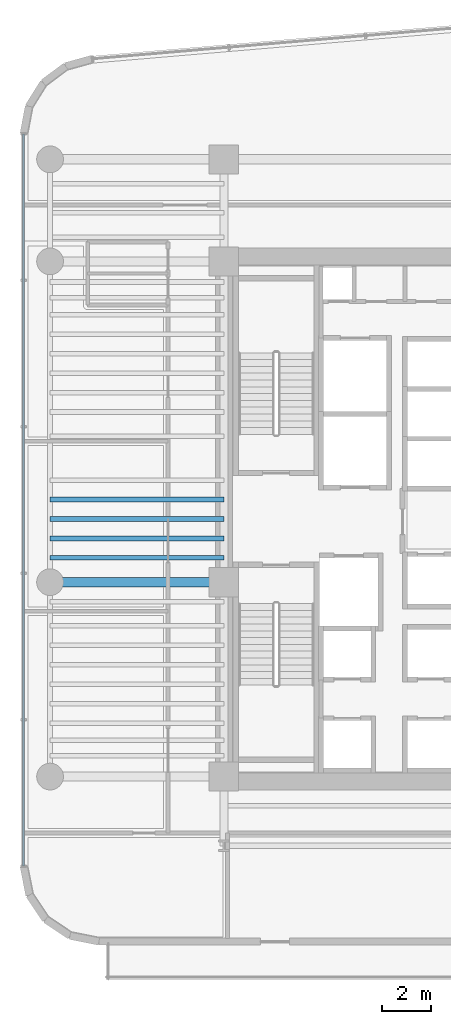
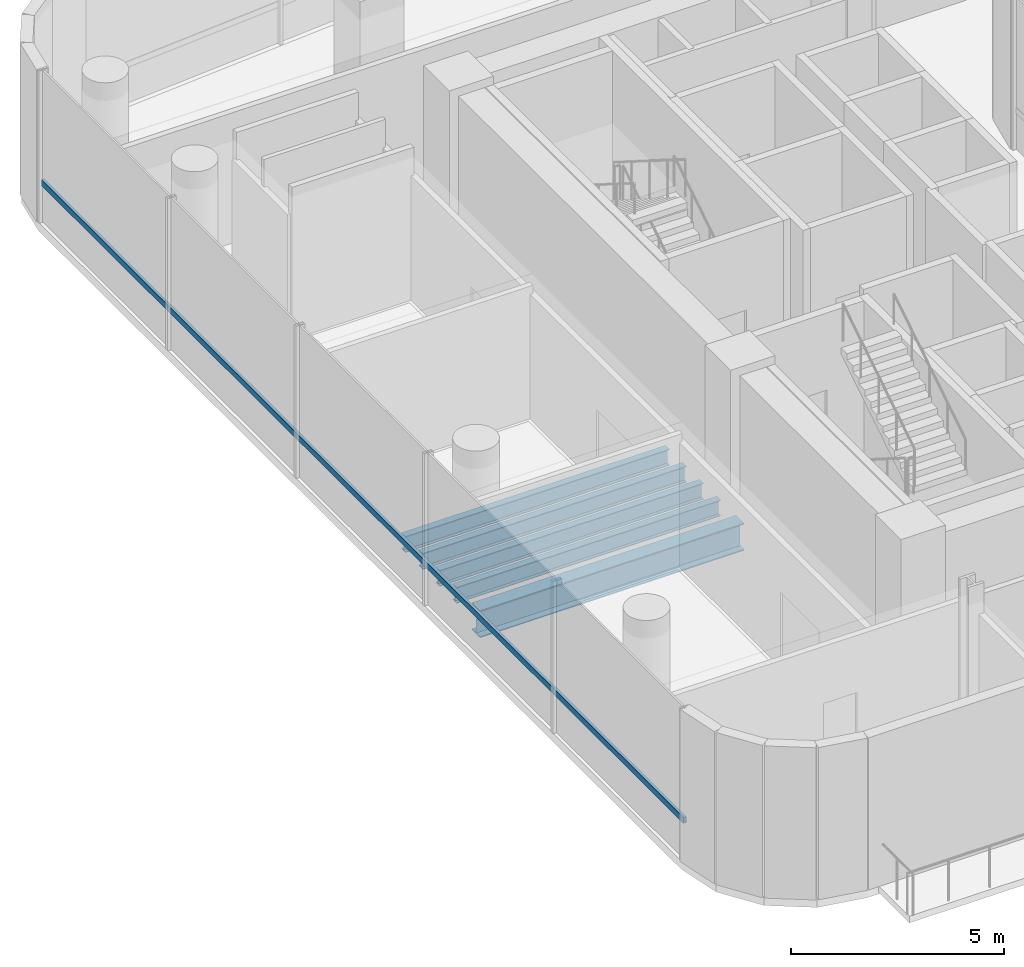
# One storey, part 7 of 32: 5 beams, 1 member, 1 element without a shape of its own.
"""IFC4 building model written with IfcOpenShell, lengths in metres."""

from ifc_helpers import new_model, si_unit, direction, frame, origin, origin_2d, place, context, subcontext, project, spatial, hollow_rectangle, i_section, extrude, source, transform, mapped, material, material_profile, profile_set, type_object, element, aggregate, save


model = new_model("IFC4")

# Units and contexts
model_context = context("Model", 3, precision=1e-05, world=origin(), true_north=direction((0.0, 1.0)))
body_context = subcontext(model_context, "Body", "Model", "MODEL_VIEW")
ifc_project = project(units=[si_unit("LENGTHUNIT", "METRE"), si_unit("AREAUNIT", "SQUARE_METRE"), si_unit("VOLUMEUNIT", "CUBIC_METRE"), si_unit("PLANEANGLEUNIT", "RADIAN"), si_unit("MASSUNIT", "GRAM", prefix="KILO")], contexts=[model_context])

# Site, building, storey
site_placement = place(None, origin())
site = spatial("IfcSite", under=ifc_project, at=site_placement, CompositionType="ELEMENT")
building_placement = place(site_placement, origin())
building = spatial("IfcBuilding", under=site, at=building_placement, Name="Valdorenza Pilgrim Sanctuary Tower", CompositionType="ELEMENT")
storey_placement = place(building_placement, frame((0.0, 0.0, 101.10009765625)))
storey = spatial("IfcBuildingStorey", under=building, at=storey_placement, Name="L25", CompositionType="ELEMENT", Elevation=101.10009765625)

# Beams
ifc_material_1 = material(Name="Steel ASTM A992 Grade 50", Category="steel")
ifc_material_profile_1 = material_profile(ifc_material_1, i_section(OverallWidth=0.382080078125, OverallDepth=0.779052734375, WebThickness=0.01806640625, FlangeThickness=0.030029296875, at=origin_2d()), Name="W30X191")
ifc_profile_set_1 = profile_set([ifc_material_profile_1], Name="Steel ASTM A992 Grade 50")
beam_type_1 = type_object("IfcBeamType", Name="STR-BM-GRD-W30", PredefinedType="BEAM", material=ifc_profile_set_1)
shared_shape_1 = source(origin(), body_context, "Body", "SweptSolid", [
    extrude(i_section(OverallWidth=0.382080078125, OverallDepth=0.779052734375, WebThickness=0.01806640625, FlangeThickness=0.030029296875, at=origin_2d()), origin(), (0.0, 0.0, 1.0), 7.150146484375),
])
beam_placement = place(storey_placement, frame((-29.800048828125, -2.60009765625, -0.629638671875), z_axis=(1.0, 0.0, 0.0), x_axis=(0.0, 1.0, 0.0)))
element("IfcBeam", 1, at=beam_placement, inside=storey, type_object=beam_type_1, Name="L25 Floor Girder WA-XW-M0", PredefinedType="BEAM", context=body_context, shape_type="MappedRepresentation", body=[
    mapped(shared_shape_1, transform((0.0, 0.0, 0.0), x_axis=(1.0, 0.0, 0.0), y_axis=(0.0, 1.0, 0.0), z_axis=(0.0, 0.0, 1.0), scale=1.0)),
])
ifc_material_profile_2 = material_profile(ifc_material_1, i_section(OverallWidth=0.19091796875, OverallDepth=0.45703125, WebThickness=0.009033203125, FlangeThickness=0.014404296875, at=origin_2d()), Name="W18X50")
ifc_profile_set_2 = profile_set([ifc_material_profile_2], Name="Steel ASTM A992 Grade 50")
beam_type_2 = type_object("IfcBeamType", Name="STR-BM-JST-W18B", PredefinedType="JOIST", material=ifc_profile_set_2)
shared_shape_2 = source(origin(), body_context, "Body", "SweptSolid", [
    extrude(i_section(OverallWidth=0.19091796875, OverallDepth=0.45703125, WebThickness=0.009033203125, FlangeThickness=0.014404296875, at=origin_2d()), origin(), (0.0, 0.0, 1.0), 7.150146484375),
])
for number, where, z_axis, x_axis, name in (
    (2, (-29.800048828125, -1.60009765625, -0.468505859375), (1.0, 0.0, 0.0), (0.0, 1.0, 0.0), "L25 Composite Floor Joist JST-WA-10"),
    (3, (-29.800048828125, -0.800048828125, -0.468505859375), (1.0, 0.0, 0.0), (0.0, 1.0, 0.0), "L25 Composite Floor Joist JST-WA-11"),
    (4, (-29.800048828125, 0.0, -0.468505859375), (1.0, 0.0, 0.0), (0.0, 1.0, 0.0), "L25 Composite Floor Joist JST-WA-12"),
    (5, (-29.800048828125, 0.800048828125, -0.468505859375), (1.0, 0.0, 0.0), (0.0, 1.0, 0.0), "L25 Composite Floor Joist JST-WA-13"),
):
    element("IfcBeam", number, at=place(storey_placement, frame(where, z_axis=z_axis, x_axis=x_axis)), inside=storey, type_object=beam_type_2, Name=name, PredefinedType="JOIST", context=body_context, shape_type="MappedRepresentation", body=[
        mapped(shared_shape_2, transform((0.0, 0.0, 0.0), x_axis=(1.0, 0.0, 0.0), y_axis=(0.0, 1.0, 0.0), z_axis=(0.0, 0.0, 1.0), scale=1.0)),
    ])

# Curtain wall, member
ifc_material_2 = material(Name="Curtain-wall IGU glazing", Category="glass")
curtain_wall_type = type_object("IfcCurtainWallType", Name="CW-SYS-04", PredefinedType="NOTDEFINED", material=ifc_material_2)
curtain_wall_placement = place(storey_placement, origin())
curtain_wall = element("IfcCurtainWall", 6, at=curtain_wall_placement, inside=storey, type_object=curtain_wall_type, Name="L25 Curtain Wall CW-L25-1-1", PredefinedType="NOTDEFINED")
ifc_material_3 = material(Name="Anodised aluminium AW-6060", Category="aluminium")
ifc_material_profile_3 = material_profile(ifc_material_3, hollow_rectangle(XDim=0.080078125, YDim=0.169921875, WallThickness=0.00390625, at=origin_2d()), Name="ALU-T 170x80x4")
ifc_profile_set_3 = profile_set([ifc_material_profile_3], Name="Anodised aluminium AW-6060")
member_type = type_object("IfcMemberType", Name="CW-TRN-04", PredefinedType="USERDEFINED", material=ifc_profile_set_3)
shared_shape_3 = source(origin(), body_context, "Body", "SweptSolid", [
    extrude(hollow_rectangle(XDim=0.080078125, YDim=0.169921875, WallThickness=0.00390625, at=origin_2d()), origin(), (0.0, 0.0, 1.0), 30.1396484375),
])
member_placement = place(storey_placement, frame((-30.889892578125, -14.289306640625, 1.119873046875), z_axis=(0.0, 1.0, 0.0), x_axis=(-1.0, 0.0, 0.0)))
member = element("IfcMember", 7, at=member_placement, type_object=member_type, Name="CW-L25-1-1 Transom 1", ObjectType="TRANSOM", PredefinedType="USERDEFINED", context=body_context, shape_type="MappedRepresentation", body=[
    mapped(shared_shape_3, transform((0.0, 0.0, 0.0), x_axis=(1.0, 0.0, 0.0), y_axis=(0.0, 1.0, 0.0), z_axis=(0.0, 0.0, 1.0), scale=1.0)),
])
aggregate(curtain_wall, [member])

save(model, "model.ifc")
